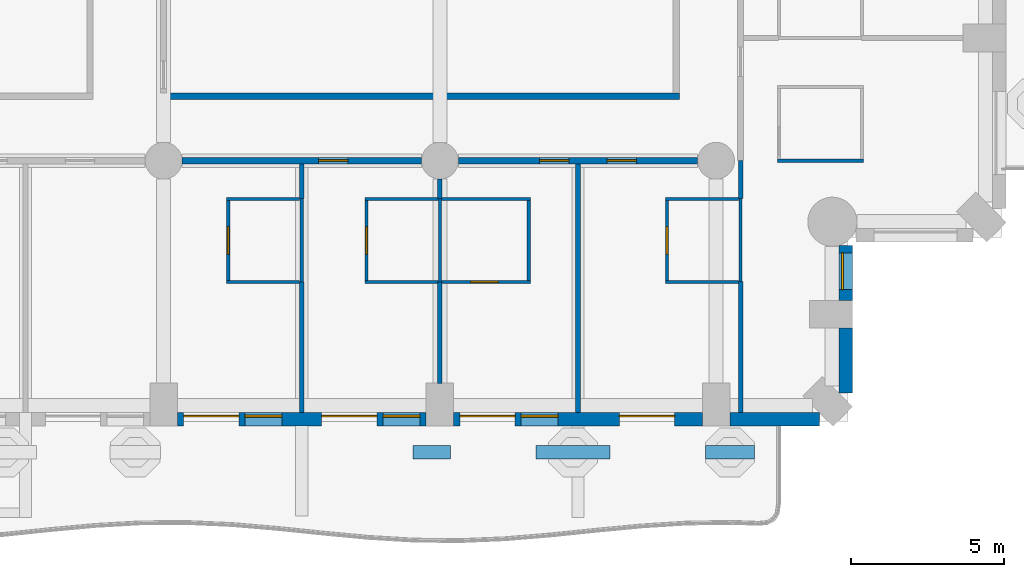
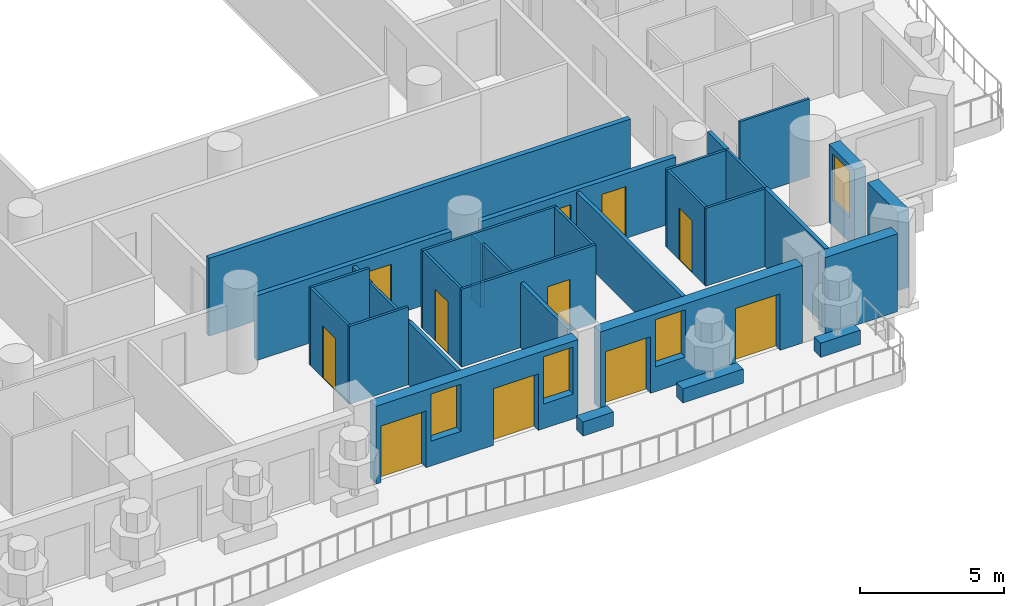
# One storey, part 5 of 20: 32 walls, 11 doors, 4 windows, 15 openings.
"""IFC4 building model written with IfcOpenShell, lengths in metres."""

from ifc_helpers import new_model, si_unit, direction, frame, frame_2d, origin, place, context, subcontext, project, spatial, rectangle, extrude, material, layer, layer_set, type_object, element, fill, save


model = new_model("IFC4")

# Units and contexts
model_context = context("Model", 3, precision=1e-05, world=origin(), true_north=direction((0.0, 1.0)))
body_context = subcontext(model_context, "Body", "Model", "MODEL_VIEW")
ifc_project = project(units=[si_unit("LENGTHUNIT", "METRE"), si_unit("AREAUNIT", "SQUARE_METRE"), si_unit("VOLUMEUNIT", "CUBIC_METRE"), si_unit("PLANEANGLEUNIT", "RADIAN"), si_unit("MASSUNIT", "GRAM", prefix="KILO")], contexts=[model_context])

# Site, building, storey
site_placement = place(None, origin())
site = spatial("IfcSite", under=ifc_project, at=site_placement, CompositionType="ELEMENT")
building_placement = place(site_placement, origin())
building = spatial("IfcBuilding", under=site, at=building_placement, Name="Cypress Arch Tower", CompositionType="ELEMENT")
storey_placement = place(building_placement, frame((0.0, 0.0, 62.699951171875)))
storey = spatial("IfcBuildingStorey", under=building, at=storey_placement, Name="L09", CompositionType="ELEMENT", Elevation=62.699951171875)

# Walls
ifc_material_1 = material(Name="Concrete C40/50, waterproofed", Category="concrete")
ifc_layer_1 = layer(ifc_material_1, 0.449951171875)
ifc_layer_set_1 = layer_set([ifc_layer_1], Name="Balcony planter wall PW450")
wall_type_1 = type_object("IfcWallType", Name="Balcony planter wall PW450", PredefinedType="SOLIDWALL", material=ifc_layer_set_1)
wall_1_placement = place(storey_placement, frame((5.419921875, -27.0, 0.0), z_axis=(0.0, 0.0, 1.0), x_axis=(1.0, 0.0, 0.0)))
element("IfcWall", 1, at=wall_1_placement, inside=storey, type_object=wall_type_1, Name="Balcony planter wall L09-A03.5", PredefinedType="SOLIDWALL", context=body_context, shape_type="SweptSolid", body=[
    extrude(rectangle(XDim=1.22998046875, YDim=0.449951171875, at=frame_2d((0.614990234375, 0.0))), origin(), (0.0, 0.0, 1.0), 0.60009765625),
])
wall_2_placement = place(storey_placement, frame((9.429931640625, -27.0, 0.0), z_axis=(0.0, 0.0, 1.0), x_axis=(1.0, 0.0, 0.0)))
element("IfcWall", 2, at=wall_2_placement, inside=storey, type_object=wall_type_1, Name="Balcony planter wall L09-A03.6", PredefinedType="SOLIDWALL", context=body_context, shape_type="SweptSolid", body=[
    extrude(rectangle(XDim=2.420166015625, YDim=0.449951171875, at=frame_2d((1.2099609375, 0.0))), origin(), (0.0, 0.0, 1.0), 0.60009765625),
])
wall_3_placement = place(storey_placement, frame((14.949951171875, -27.0, 0.0), z_axis=(0.0, 0.0, 1.0), x_axis=(1.0, 0.0, 0.0)))
element("IfcWall", 3, at=wall_3_placement, inside=storey, type_object=wall_type_1, Name="Balcony planter wall L09-A03.7", PredefinedType="SOLIDWALL", context=body_context, shape_type="SweptSolid", body=[
    extrude(rectangle(XDim=1.60009765625, YDim=0.449951171875, at=frame_2d((0.800048828125, 0.0))), origin(), (0.0, 0.0, 1.0), 0.60009765625),
])

# Wall, openings, doors, windows
ifc_material_2 = material(Name="Brick (red buff blend)", Category="masonry")
ifc_layer_2 = layer(ifc_material_2, 0.449951171875)
ifc_layer_set_2 = layer_set([ifc_layer_2], Name="Brick pier and spandrel wall BW450")
wall_type_2 = type_object("IfcWallType", Name="Brick pier and spandrel wall BW450", PredefinedType="SOLIDWALL", material=ifc_layer_set_2)
wall_4_placement = place(storey_placement, frame((-2.25, -25.925048828125, 0.0), z_axis=(0.0, 0.0, 1.0), x_axis=(1.0, 0.0, 0.0)))
wall_4 = element("IfcWall", 4, at=wall_4_placement, inside=storey, type_object=wall_type_2, Name="Brick wall L09 A03.3", PredefinedType="SOLIDWALL", context=body_context, shape_type="SweptSolid", body=[
    extrude(rectangle(XDim=8.10009765625, YDim=0.449951171875, at=frame_2d((4.050048828125, 0.0))), origin(), (0.0, 0.0, 1.0), 3.300048828125),
])
opening_1_placement = place(wall_4_placement, frame((0.199951171875, 0.0, 0.0)))
opening_1 = element("IfcOpeningElement", 5, at=opening_1_placement, cuts=wall_4, Name="Opening D-L09-A03.3.1", PredefinedType="OPENING", context=body_context, shape_type="SweptSolid", body=[
    extrude(rectangle(XDim=1.800048828125, YDim=2.39990234375, at=frame_2d((0.89990234375, 1.199951171875))), frame((0.0, 0.23486328125, 0.0), z_axis=(0.0, -1.0, 0.0), x_axis=(1.0, 0.0, 0.0)), (0.0, 0.0, 1.0), 0.469970703125),
])
opening_2_placement = place(wall_4_placement, frame((2.199951171875, 0.0, 1.050048828125)))
opening_2 = element("IfcOpeningElement", 6, at=opening_2_placement, cuts=wall_4, Name="Opening W120HD", PredefinedType="OPENING", context=body_context, shape_type="SweptSolid", body=[
    extrude(rectangle(XDim=1.199951171875, YDim=2.0, at=frame_2d((0.60009765625, 1.0))), frame((0.0, 0.23486328125, 0.0), z_axis=(0.0, -1.0, 0.0), x_axis=(1.0, 0.0, 0.0)), (0.0, 0.0, 1.0), 0.469970703125),
])
opening_3_placement = place(wall_4_placement, frame((4.699951171875, 0.0, 0.0)))
opening_3 = element("IfcOpeningElement", 7, at=opening_3_placement, cuts=wall_4, Name="Opening D-L09-A03.3.2", PredefinedType="OPENING", context=body_context, shape_type="SweptSolid", body=[
    extrude(rectangle(XDim=1.800048828125, YDim=2.39990234375, at=frame_2d((0.89990234375, 1.199951171875))), frame((0.0, 0.23486328125, 0.0), z_axis=(0.0, -1.0, 0.0), x_axis=(1.0, 0.0, 0.0)), (0.0, 0.0, 1.0), 0.469970703125),
])
opening_4_placement = place(wall_4_placement, frame((6.699951171875, 0.0, 1.050048828125)))
opening_4 = element("IfcOpeningElement", 8, at=opening_4_placement, cuts=wall_4, Name="Opening W120HD", PredefinedType="OPENING", context=body_context, shape_type="SweptSolid", body=[
    extrude(rectangle(XDim=1.199951171875, YDim=2.0, at=frame_2d((0.60009765625, 1.0))), frame((0.0, 0.23486328125, 0.0), z_axis=(0.0, -1.0, 0.0), x_axis=(1.0, 0.0, 0.0)), (0.0, 0.0, 1.0), 0.469970703125),
])
ifc_material_3 = material(Name="Anodised aluminium, bronze finish, laminated low-emissivity double glazing, large-missile impact rated", Category="aluminium")
door_type_1 = type_object("IfcDoorType", Name="Balcony sliding door 1800x2400", OperationType="SLIDING_TO_LEFT", PredefinedType="DOOR", material=ifc_material_3)
door_1_placement = place(opening_1_placement, origin())
door_1 = element("IfcDoor", 9, at=door_1_placement, inside=storey, type_object=door_type_1, Name="Balcony door L09 A03.3.1", OperationType="SLIDING_TO_LEFT", OverallHeight=2.39990234375, OverallWidth=1.800048828125, PredefinedType="DOOR", context=body_context, shape_type="SweptSolid", body=[
    extrude(rectangle(XDim=1.800048828125, YDim=2.39990234375, at=frame_2d((0.89990234375, 1.199951171875))), frame((0.0, 0.1298828125, 0.0), z_axis=(0.0, -1.0, 0.0), x_axis=(1.0, 0.0, 0.0)), (0.0, 0.0, 1.0), 0.050048828125),
])
fill(opening_1, door_1)
door_2_placement = place(opening_3_placement, origin())
door_2 = element("IfcDoor", 10, at=door_2_placement, inside=storey, type_object=door_type_1, Name="Balcony door L09 A03.3.2", OperationType="SLIDING_TO_LEFT", OverallHeight=2.39990234375, OverallWidth=1.800048828125, PredefinedType="DOOR", context=body_context, shape_type="SweptSolid", body=[
    extrude(rectangle(XDim=1.800048828125, YDim=2.39990234375, at=frame_2d((0.89990234375, 1.199951171875))), frame((0.0, 0.1298828125, 0.0), z_axis=(0.0, -1.0, 0.0), x_axis=(1.0, 0.0, 0.0)), (0.0, 0.0, 1.0), 0.050048828125),
])
fill(opening_3, door_2)
ifc_material_4 = material(Name="Anodised aluminium, bronze finish, laminated low-emissivity double glazing, large-missile impact rated", Category="aluminium")
window_type_1 = type_object("IfcWindowType", Name="Window Hotel 1200x2000 debris-rated", PartitioningType="SINGLE_PANEL", PredefinedType="WINDOW", material=ifc_material_4)
window_1_placement = place(opening_2_placement, origin())
window_1 = element("IfcWindow", 11, at=window_1_placement, inside=storey, type_object=window_type_1, Name="Window L09 A03.3.1", OverallHeight=2.0, OverallWidth=1.199951171875, PartitioningType="SINGLE_PANEL", PredefinedType="WINDOW", context=body_context, shape_type="SweptSolid", body=[
    extrude(rectangle(XDim=1.199951171875, YDim=2.0, at=frame_2d((0.60009765625, 1.0))), frame((0.0, 0.135009765625, 0.0), z_axis=(0.0, -1.0, 0.0), x_axis=(1.0, 0.0, 0.0)), (0.0, 0.0, 1.0), 0.06005859375),
])
fill(opening_2, window_1)
window_2_placement = place(opening_4_placement, origin())
window_2 = element("IfcWindow", 12, at=window_2_placement, inside=storey, type_object=window_type_1, Name="Window L09 A03.3.2", OverallHeight=2.0, OverallWidth=1.199951171875, PartitioningType="SINGLE_PANEL", PredefinedType="WINDOW", context=body_context, shape_type="SweptSolid", body=[
    extrude(rectangle(XDim=1.199951171875, YDim=2.0, at=frame_2d((0.60009765625, 1.0))), frame((0.0, 0.135009765625, 0.0), z_axis=(0.0, -1.0, 0.0), x_axis=(1.0, 0.0, 0.0)), (0.0, 0.0, 1.0), 0.06005859375),
])
fill(opening_4, window_2)

# Wall, openings, doors, window
wall_5_placement = place(storey_placement, frame((6.75, -25.925048828125, 0.0), z_axis=(0.0, 0.0, 1.0), x_axis=(1.0, 0.0, 0.0)))
wall_5 = element("IfcWall", 13, at=wall_5_placement, inside=storey, type_object=wall_type_2, Name="Brick wall L09 A03.4", PredefinedType="SOLIDWALL", context=body_context, shape_type="SweptSolid", body=[
    extrude(rectangle(XDim=8.10009765625, YDim=0.449951171875, at=frame_2d((4.050048828125, 0.0))), origin(), (0.0, 0.0, 1.0), 3.300048828125),
])
opening_5_placement = place(wall_5_placement, frame((0.199951171875, 0.0, 0.0)))
opening_5 = element("IfcOpeningElement", 14, at=opening_5_placement, cuts=wall_5, Name="Opening D-L09-A03.4.1", PredefinedType="OPENING", context=body_context, shape_type="SweptSolid", body=[
    extrude(rectangle(XDim=1.800048828125, YDim=2.39990234375, at=frame_2d((0.89990234375, 1.199951171875))), frame((0.0, 0.23486328125, 0.0), z_axis=(0.0, -1.0, 0.0), x_axis=(1.0, 0.0, 0.0)), (0.0, 0.0, 1.0), 0.469970703125),
])
opening_6_placement = place(wall_5_placement, frame((2.199951171875, 0.0, 1.050048828125)))
opening_6 = element("IfcOpeningElement", 15, at=opening_6_placement, cuts=wall_5, Name="Opening W120HD", PredefinedType="OPENING", context=body_context, shape_type="SweptSolid", body=[
    extrude(rectangle(XDim=1.199951171875, YDim=2.0, at=frame_2d((0.60009765625, 1.0))), frame((0.0, 0.23486328125, 0.0), z_axis=(0.0, -1.0, 0.0), x_axis=(1.0, 0.0, 0.0)), (0.0, 0.0, 1.0), 0.469970703125),
])
opening_7_placement = place(wall_5_placement, frame((5.39990234375, 0.0, 0.0)))
opening_7 = element("IfcOpeningElement", 16, at=opening_7_placement, cuts=wall_5, Name="Opening D-L09-A03.4.2", PredefinedType="OPENING", context=body_context, shape_type="SweptSolid", body=[
    extrude(rectangle(XDim=1.800048828125, YDim=2.39990234375, at=frame_2d((0.89990234375, 1.199951171875))), frame((0.0, 0.23486328125, 0.0), z_axis=(0.0, -1.0, 0.0), x_axis=(1.0, 0.0, 0.0)), (0.0, 0.0, 1.0), 0.469970703125),
])
door_3_placement = place(opening_5_placement, origin())
door_3 = element("IfcDoor", 17, at=door_3_placement, inside=storey, type_object=door_type_1, Name="Balcony door L09 A03.4.1", OperationType="SLIDING_TO_LEFT", OverallHeight=2.39990234375, OverallWidth=1.800048828125, PredefinedType="DOOR", context=body_context, shape_type="SweptSolid", body=[
    extrude(rectangle(XDim=1.800048828125, YDim=2.39990234375, at=frame_2d((0.89990234375, 1.199951171875))), frame((0.0, 0.1298828125, 0.0), z_axis=(0.0, -1.0, 0.0), x_axis=(1.0, 0.0, 0.0)), (0.0, 0.0, 1.0), 0.050048828125),
])
fill(opening_5, door_3)
door_4_placement = place(opening_7_placement, origin())
door_4 = element("IfcDoor", 18, at=door_4_placement, inside=storey, type_object=door_type_1, Name="Balcony door L09 A03.4.2", OperationType="SLIDING_TO_LEFT", OverallHeight=2.39990234375, OverallWidth=1.800048828125, PredefinedType="DOOR", context=body_context, shape_type="SweptSolid", body=[
    extrude(rectangle(XDim=1.800048828125, YDim=2.39990234375, at=frame_2d((0.89990234375, 1.199951171875))), frame((0.0, 0.1298828125, 0.0), z_axis=(0.0, -1.0, 0.0), x_axis=(1.0, 0.0, 0.0)), (0.0, 0.0, 1.0), 0.050048828125),
])
fill(opening_7, door_4)
window_3_placement = place(opening_6_placement, origin())
window_3 = element("IfcWindow", 19, at=window_3_placement, inside=storey, type_object=window_type_1, Name="Window L09 A03.4.1", OverallHeight=2.0, OverallWidth=1.199951171875, PartitioningType="SINGLE_PANEL", PredefinedType="WINDOW", context=body_context, shape_type="SweptSolid", body=[
    extrude(rectangle(XDim=1.199951171875, YDim=2.0, at=frame_2d((0.60009765625, 1.0))), frame((0.0, 0.135009765625, 0.0), z_axis=(0.0, -1.0, 0.0), x_axis=(1.0, 0.0, 0.0)), (0.0, 0.0, 1.0), 0.06005859375),
])
fill(opening_6, window_3)

# Walls
wall_6_placement = place(storey_placement, frame((15.75, -25.925048828125, 0.0), z_axis=(0.0, 0.0, 1.0), x_axis=(1.0, 0.0, 0.0)))
element("IfcWall", 20, at=wall_6_placement, inside=storey, type_object=wall_type_2, Name="Brick wall L09 A03.5", PredefinedType="SOLIDWALL", context=body_context, shape_type="SweptSolid", body=[
    extrude(rectangle(XDim=2.91357421875, YDim=0.449951171875, at=frame_2d((1.456787109375, 0.0))), origin(), (0.0, 0.0, 1.0), 3.300048828125),
])
wall_7_placement = place(storey_placement, frame((19.52490234375, -25.063720703125, 0.0), z_axis=(0.0, 0.0, 1.0), x_axis=(0.0, 1.0, 0.0)))
element("IfcWall", 21, at=wall_7_placement, inside=storey, type_object=wall_type_2, Name="Brick wall L09 A04.0", PredefinedType="SOLIDWALL", context=body_context, shape_type="SweptSolid", body=[
    extrude(rectangle(XDim=2.11376953125, YDim=0.449951171875, at=frame_2d((1.056884765625, 0.0))), origin(), (0.0, 0.0, 1.0), 3.300048828125),
])

# Wall, opening, window
wall_8_placement = place(storey_placement, frame((19.52490234375, -22.050048828125, 0.0), z_axis=(0.0, 0.0, 1.0), x_axis=(0.0, 1.0, 0.0)))
wall_8 = element("IfcWall", 22, at=wall_8_placement, inside=storey, type_object=wall_type_2, Name="Brick wall L09 A04.1", PredefinedType="SOLIDWALL", context=body_context, shape_type="SweptSolid", body=[
    extrude(rectangle(XDim=1.79150390625, YDim=0.449951171875, at=frame_2d((0.895751953125, 0.0))), origin(), (0.0, 0.0, 1.0), 3.300048828125),
])
opening_8_placement = place(wall_8_placement, frame((0.35009765625, 0.0, 1.050048828125)))
opening_8 = element("IfcOpeningElement", 23, at=opening_8_placement, cuts=wall_8, Name="Opening W120H", PredefinedType="OPENING", context=body_context, shape_type="SweptSolid", body=[
    extrude(rectangle(XDim=1.199951171875, YDim=2.0, at=frame_2d((0.60009765625, 1.0))), frame((0.0, 0.23486328125, 0.0), z_axis=(0.0, -1.0, 0.0), x_axis=(1.0, 0.0, 0.0)), (0.0, 0.0, 1.0), 0.469970703125),
])
ifc_material_5 = material(Name="Anodised aluminium, bronze finish, clear low-emissivity double glazing", Category="aluminium")
window_type_2 = type_object("IfcWindowType", Name="Window Hotel 1200x2000", PartitioningType="SINGLE_PANEL", PredefinedType="WINDOW", material=ifc_material_5)
window_4_placement = place(opening_8_placement, origin())
window_4 = element("IfcWindow", 24, at=window_4_placement, inside=storey, type_object=window_type_2, Name="Window L09 A04.1.1", OverallHeight=2.0, OverallWidth=1.199951171875, PartitioningType="SINGLE_PANEL", PredefinedType="WINDOW", context=body_context, shape_type="SweptSolid", body=[
    extrude(rectangle(XDim=1.199951171875, YDim=2.0, at=frame_2d((0.60009765625, 1.0))), frame((0.0, 0.135009765625, 0.0), z_axis=(0.0, -1.0, 0.0), x_axis=(1.0, 0.0, 0.0)), (0.0, 0.0, 1.0), 0.06005859375),
])
fill(opening_8, window_4)

# Wall, opening, door
ifc_material_6 = material(Name="Concrete blockwork, plastered, rated", Category="masonry")
ifc_layer_3 = layer(ifc_material_6, 0.199951171875)
ifc_layer_set_3 = layer_set([ifc_layer_3], Name="Corridor wall FW200")
wall_type_3 = type_object("IfcWallType", Name="Corridor wall FW200", PredefinedType="PARTITIONING", material=ifc_layer_set_3)
wall_9_placement = place(storey_placement, frame((-2.10009765625, -17.5, 0.0), z_axis=(0.0, 0.0, 1.0), x_axis=(1.0, 0.0, 0.0)))
wall_9 = element("IfcWall", 25, at=wall_9_placement, inside=storey, type_object=wall_type_3, Name="Corridor wall", PredefinedType="PARTITIONING", context=body_context, shape_type="SweptSolid", body=[
    extrude(rectangle(XDim=7.800048828125, YDim=0.199951171875, at=frame_2d((3.89990234375, 0.0))), origin(), (0.0, 0.0, 1.0), 2.75),
])
opening_9_placement = place(wall_9_placement, frame((4.449951171875, 0.0, 0.0)))
opening_9 = element("IfcOpeningElement", 26, at=opening_9_placement, cuts=wall_9, Name="Opening D02", PredefinedType="OPENING", context=body_context, shape_type="SweptSolid", body=[
    extrude(rectangle(XDim=0.949951171875, YDim=2.199951171875, at=frame_2d((0.47509765625, 1.10009765625))), frame((0.0, 0.10986328125, 0.0), z_axis=(0.0, -1.0, 0.0), x_axis=(1.0, 0.0, 0.0)), (0.0, 0.0, 1.0), 0.219970703125),
])
ifc_material_7 = material(Name="Timber flush door, fire resisting", Category="wood")
door_type_2 = type_object("IfcDoorType", Name="Room door D02 950x2200", OperationType="SINGLE_SWING_LEFT", PredefinedType="DOOR", material=ifc_material_7)
door_5_placement = place(opening_9_placement, origin())
door_5 = element("IfcDoor", 27, at=door_5_placement, inside=storey, type_object=door_type_2, Name="Room door", OperationType="SINGLE_SWING_RIGHT", OverallHeight=2.199951171875, OverallWidth=0.949951171875, PredefinedType="DOOR", context=body_context, shape_type="SweptSolid", body=[
    extrude(rectangle(XDim=0.949951171875, YDim=2.199951171875, at=frame_2d((0.47509765625, 1.10009765625))), frame((0.0, 0.02490234375, 0.0), z_axis=(0.0, -1.0, 0.0), x_axis=(1.0, 0.0, 0.0)), (0.0, 0.0, 1.0), 0.050048828125),
])
fill(opening_9, door_5)

# Wall, openings, doors
wall_10_placement = place(storey_placement, frame((6.89990234375, -17.5, 0.0), z_axis=(0.0, 0.0, 1.0), x_axis=(1.0, 0.0, 0.0)))
wall_10 = element("IfcWall", 28, at=wall_10_placement, inside=storey, type_object=wall_type_3, Name="Corridor wall", PredefinedType="PARTITIONING", context=body_context, shape_type="SweptSolid", body=[
    extrude(rectangle(XDim=7.800048828125, YDim=0.199951171875, at=frame_2d((3.89990234375, 0.0))), origin(), (0.0, 0.0, 1.0), 2.75),
])
opening_10_placement = place(wall_10_placement, frame((2.64990234375, 0.0, 0.0)))
opening_10 = element("IfcOpeningElement", 29, at=opening_10_placement, cuts=wall_10, Name="Opening D02", PredefinedType="OPENING", context=body_context, shape_type="SweptSolid", body=[
    extrude(rectangle(XDim=0.949951171875, YDim=2.199951171875, at=frame_2d((0.47509765625, 1.10009765625))), frame((0.0, 0.10986328125, 0.0), z_axis=(0.0, -1.0, 0.0), x_axis=(1.0, 0.0, 0.0)), (0.0, 0.0, 1.0), 0.219970703125),
])
opening_11_placement = place(wall_10_placement, frame((4.85009765625, 0.0, 0.0)))
opening_11 = element("IfcOpeningElement", 30, at=opening_11_placement, cuts=wall_10, Name="Opening D02", PredefinedType="OPENING", context=body_context, shape_type="SweptSolid", body=[
    extrude(rectangle(XDim=0.949951171875, YDim=2.199951171875, at=frame_2d((0.47509765625, 1.10009765625))), frame((0.0, 0.10986328125, 0.0), z_axis=(0.0, -1.0, 0.0), x_axis=(1.0, 0.0, 0.0)), (0.0, 0.0, 1.0), 0.219970703125),
])
door_6_placement = place(opening_10_placement, origin())
door_6 = element("IfcDoor", 31, at=door_6_placement, inside=storey, type_object=door_type_2, Name="Room door", OperationType="SINGLE_SWING_LEFT", OverallHeight=2.199951171875, OverallWidth=0.949951171875, PredefinedType="DOOR", context=body_context, shape_type="SweptSolid", body=[
    extrude(rectangle(XDim=0.949951171875, YDim=2.199951171875, at=frame_2d((0.47509765625, 1.10009765625))), frame((0.0, 0.02490234375, 0.0), z_axis=(0.0, -1.0, 0.0), x_axis=(1.0, 0.0, 0.0)), (0.0, 0.0, 1.0), 0.050048828125),
])
fill(opening_10, door_6)
door_7_placement = place(opening_11_placement, origin())
door_7 = element("IfcDoor", 32, at=door_7_placement, inside=storey, type_object=door_type_2, Name="Room door", OperationType="SINGLE_SWING_RIGHT", OverallHeight=2.199951171875, OverallWidth=0.949951171875, PredefinedType="DOOR", context=body_context, shape_type="SweptSolid", body=[
    extrude(rectangle(XDim=0.949951171875, YDim=2.199951171875, at=frame_2d((0.47509765625, 1.10009765625))), frame((0.0, 0.02490234375, 0.0), z_axis=(0.0, -1.0, 0.0), x_axis=(1.0, 0.0, 0.0)), (0.0, 0.0, 1.0), 0.050048828125),
])
fill(opening_11, door_7)

# Walls
wall_11_placement = place(storey_placement, frame((-2.800048828125, -15.39990234375, 0.0), z_axis=(0.0, 0.0, 1.0), x_axis=(1.0, 0.0, 0.0)))
element("IfcWall", 33, at=wall_11_placement, inside=storey, type_object=wall_type_3, Name="Corridor wall", PredefinedType="PARTITIONING", context=body_context, shape_type="SweptSolid", body=[
    extrude(rectangle(XDim=16.900146484375, YDim=0.199951171875, at=frame_2d((8.4501953125, 0.0))), origin(), (0.0, 0.0, 1.0), 3.300048828125),
])
ifc_material_8 = material(Name="Blockwork, plastered both sides", Category="masonry")
ifc_layer_4 = layer(ifc_material_8, 0.14990234375)
ifc_layer_set_4 = layer_set([ifc_layer_4], Name="Partition PW150")
wall_type_4 = type_object("IfcWallType", Name="Partition PW150", PredefinedType="PARTITIONING", material=ifc_layer_set_4)
wall_12_placement = place(storey_placement, frame((1.800048828125, -25.699951171875, 0.0), z_axis=(0.0, 0.0, 1.0), x_axis=(0.0, 1.0, 0.0)))
element("IfcWall", 34, at=wall_12_placement, inside=storey, type_object=wall_type_4, Name="Partition", PredefinedType="PARTITIONING", context=body_context, shape_type="SweptSolid", body=[
    extrude(rectangle(XDim=4.25, YDim=0.14990234375, at=frame_2d((2.125, 0.0))), origin(), (0.0, 0.0, 1.0), 2.650146484375),
])
wall_13_placement = place(storey_placement, frame((1.800048828125, -18.72998046875, 0.0), z_axis=(0.0, 0.0, 1.0), x_axis=(0.0, 1.0, 0.0)))
element("IfcWall", 35, at=wall_13_placement, inside=storey, type_object=wall_type_4, Name="Partition", PredefinedType="PARTITIONING", context=body_context, shape_type="SweptSolid", body=[
    extrude(rectangle(XDim=1.1298828125, YDim=0.14990234375, at=frame_2d((0.56494140625, 0.0))), origin(), (0.0, 0.0, 1.0), 2.650146484375),
])
wall_14_placement = place(storey_placement, frame((6.300048828125, -24.75, 0.0), z_axis=(0.0, 0.0, 1.0), x_axis=(0.0, 1.0, 0.0)))
element("IfcWall", 36, at=wall_14_placement, inside=storey, type_object=wall_type_4, Name="Partition", PredefinedType="PARTITIONING", context=body_context, shape_type="SweptSolid", body=[
    extrude(rectangle(XDim=3.300048828125, YDim=0.14990234375, at=frame_2d((1.64990234375, 0.0))), origin(), (0.0, 0.0, 1.0), 2.75),
])
wall_15_placement = place(storey_placement, frame((6.300048828125, -18.72998046875, 0.0), z_axis=(0.0, 0.0, 1.0), x_axis=(0.0, 1.0, 0.0)))
element("IfcWall", 37, at=wall_15_placement, inside=storey, type_object=wall_type_4, Name="Partition", PredefinedType="PARTITIONING", context=body_context, shape_type="SweptSolid", body=[
    extrude(rectangle(XDim=0.6298828125, YDim=0.14990234375, at=frame_2d((0.31494140625, 0.0))), origin(), (0.0, 0.0, 1.0), 2.75),
])
wall_16_placement = place(storey_placement, frame((10.800048828125, -25.699951171875, 0.0), z_axis=(0.0, 0.0, 1.0), x_axis=(0.0, 1.0, 0.0)))
element("IfcWall", 38, at=wall_16_placement, inside=storey, type_object=wall_type_4, Name="Partition", PredefinedType="PARTITIONING", context=body_context, shape_type="SweptSolid", body=[
    extrude(rectangle(XDim=8.099853515625, YDim=0.14990234375, at=frame_2d((4.0498046875, 0.0))), origin(), (0.0, 0.0, 1.0), 2.650146484375),
])
wall_17_placement = place(storey_placement, frame((16.10009765625, -25.699951171875, 0.0), z_axis=(0.0, 0.0, 1.0), x_axis=(0.0, 1.0, 0.0)))
element("IfcWall", 39, at=wall_17_placement, inside=storey, type_object=wall_type_4, Name="Partition", PredefinedType="PARTITIONING", context=body_context, shape_type="SweptSolid", body=[
    extrude(rectangle(XDim=4.27001953125, YDim=0.14990234375, at=frame_2d((2.135009765625, 0.0))), origin(), (0.0, 0.0, 1.0), 3.300048828125),
])
wall_18_placement = place(storey_placement, frame((16.10009765625, -18.72998046875, 0.0), z_axis=(0.0, 0.0, 1.0), x_axis=(0.0, 1.0, 0.0)))
element("IfcWall", 40, at=wall_18_placement, inside=storey, type_object=wall_type_4, Name="Partition", PredefinedType="PARTITIONING", context=body_context, shape_type="SweptSolid", body=[
    extrude(rectangle(XDim=1.22998046875, YDim=0.14990234375, at=frame_2d((0.614990234375, 0.0))), origin(), (0.0, 0.0, 1.0), 3.300048828125),
])

# Wall, opening, door
ifc_material_9 = material(Name="Moisture resistant board on steel studs, tiled", Category="steel")
ifc_layer_5 = layer(ifc_material_9, 0.10009765625)
ifc_layer_set_5 = layer_set([ifc_layer_5], Name="Wet wall PW100")
wall_type_5 = type_object("IfcWallType", Name="Wet wall PW100", PredefinedType="PARTITIONING", material=ifc_layer_set_5)
wall_19_placement = place(storey_placement, frame((-0.595947265625, -21.39990234375, 0.0), z_axis=(0.0, 0.0, 1.0), x_axis=(0.0, 1.0, 0.0)))
wall_19 = element("IfcWall", 41, at=wall_19_placement, inside=storey, type_object=wall_type_5, Name="Wet wall", PredefinedType="PARTITIONING", context=body_context, shape_type="SweptSolid", body=[
    extrude(rectangle(XDim=2.599853515625, YDim=0.10009765625, at=frame_2d((1.2998046875, 0.0))), origin(), (0.0, 0.0, 1.0), 3.300048828125),
])
opening_12_placement = place(wall_19_placement, frame((0.85009765625, 0.0, 0.0)))
opening_12 = element("IfcOpeningElement", 42, at=opening_12_placement, cuts=wall_19, Name="Opening D03", PredefinedType="OPENING", context=body_context, shape_type="SweptSolid", body=[
    extrude(rectangle(XDim=0.89990234375, YDim=2.199951171875, at=frame_2d((0.449951171875, 1.10009765625))), frame((0.0, 0.06005859375, 0.0), z_axis=(0.0, -1.0, 0.0), x_axis=(1.0, 0.0, 0.0)), (0.0, 0.0, 1.0), 0.1201171875),
])
ifc_material_10 = material(Name="Timber flush door, moisture resistant", Category="wood")
door_type_3 = type_object("IfcDoorType", Name="Bathroom door D03 900x2200", OperationType="SINGLE_SWING_LEFT", PredefinedType="DOOR", material=ifc_material_10)
door_8_placement = place(opening_12_placement, origin())
door_8 = element("IfcDoor", 43, at=door_8_placement, inside=storey, type_object=door_type_3, Name="Bathroom door", OperationType="SINGLE_SWING_LEFT", OverallHeight=2.199951171875, OverallWidth=0.89990234375, PredefinedType="DOOR", context=body_context, shape_type="SweptSolid", body=[
    extrude(rectangle(XDim=0.89990234375, YDim=2.199951171875, at=frame_2d((0.449951171875, 1.10009765625))), frame((0.0, 0.02490234375, 0.0), z_axis=(0.0, -1.0, 0.0), x_axis=(1.0, 0.0, 0.0)), (0.0, 0.0, 1.0), 0.050048828125),
])
fill(opening_12, door_8)

# Walls
for number, where, z_axis, x_axis, name in (
    (44, (-0.64599609375, -21.449951171875, 0.0), (0.0, 0.0, 1.0), (1.0, 0.0, 0.0), "Wet wall"),
    (45, (-0.64599609375, -18.75, 0.0), (0.0, 0.0, 1.0), (1.0, 0.0, 0.0), "Wet wall"),
):
    element("IfcWall", number, at=place(storey_placement, frame(where, z_axis=z_axis, x_axis=x_axis)), inside=storey, type_object=wall_type_5, Name=name, PredefinedType="PARTITIONING", context=body_context, shape_type="SweptSolid", body=[
        extrude(rectangle(XDim=2.37109375, YDim=0.10009765625, at=frame_2d((1.185546875, 0.0))), origin(), (0.0, 0.0, 1.0), 3.300048828125),
    ])
wall_20_placement = place(storey_placement, frame((1.800048828125, -21.449951171875, 0.0), z_axis=(0.0, 0.0, 1.0), x_axis=(0.0, 1.0, 0.0)))
element("IfcWall", 46, at=wall_20_placement, inside=storey, type_object=wall_type_5, Name="Wet wall", PredefinedType="PARTITIONING", context=body_context, shape_type="SweptSolid", body=[
    extrude(rectangle(XDim=2.719970703125, YDim=0.10009765625, at=frame_2d((1.35986328125, 0.0))), origin(), (0.0, 0.0, 1.0), 2.650146484375),
])

# Wall, opening, door
wall_21_placement = place(storey_placement, frame((3.904052734375, -21.39990234375, 0.0), z_axis=(0.0, 0.0, 1.0), x_axis=(0.0, 1.0, 0.0)))
wall_21 = element("IfcWall", 47, at=wall_21_placement, inside=storey, type_object=wall_type_5, Name="Wet wall", PredefinedType="PARTITIONING", context=body_context, shape_type="SweptSolid", body=[
    extrude(rectangle(XDim=2.599853515625, YDim=0.10009765625, at=frame_2d((1.2998046875, 0.0))), origin(), (0.0, 0.0, 1.0), 3.300048828125),
])
opening_13_placement = place(wall_21_placement, frame((0.85009765625, 0.0, 0.0)))
opening_13 = element("IfcOpeningElement", 48, at=opening_13_placement, cuts=wall_21, Name="Opening D03", PredefinedType="OPENING", context=body_context, shape_type="SweptSolid", body=[
    extrude(rectangle(XDim=0.89990234375, YDim=2.199951171875, at=frame_2d((0.449951171875, 1.10009765625))), frame((0.0, 0.06005859375, 0.0), z_axis=(0.0, -1.0, 0.0), x_axis=(1.0, 0.0, 0.0)), (0.0, 0.0, 1.0), 0.1201171875),
])
door_9_placement = place(opening_13_placement, origin())
door_9 = element("IfcDoor", 49, at=door_9_placement, inside=storey, type_object=door_type_3, Name="Bathroom door", OperationType="SINGLE_SWING_LEFT", OverallHeight=2.199951171875, OverallWidth=0.89990234375, PredefinedType="DOOR", context=body_context, shape_type="SweptSolid", body=[
    extrude(rectangle(XDim=0.89990234375, YDim=2.199951171875, at=frame_2d((0.449951171875, 1.10009765625))), frame((0.0, 0.02490234375, 0.0), z_axis=(0.0, -1.0, 0.0), x_axis=(1.0, 0.0, 0.0)), (0.0, 0.0, 1.0), 0.050048828125),
])
fill(opening_13, door_9)

wall_22_placement = place(storey_placement, frame((3.85400390625, -21.449951171875, 0.0), z_axis=(0.0, 0.0, 1.0), x_axis=(1.0, 0.0, 0.0)))
wall_22 = element("IfcWall", 50, at=wall_22_placement, inside=storey, type_object=wall_type_5, Name="Wet wall", PredefinedType="PARTITIONING", context=body_context, shape_type="SweptSolid", body=[
    extrude(rectangle(XDim=5.39208984375, YDim=0.10009765625, at=frame_2d((2.696044921875, 0.0))), origin(), (0.0, 0.0, 1.0), 3.300048828125),
])
opening_14_placement = place(wall_22_placement, frame((3.449951171875, 0.0, 0.0)))
opening_14 = element("IfcOpeningElement", 51, at=opening_14_placement, cuts=wall_22, Name="Opening D03", PredefinedType="OPENING", context=body_context, shape_type="SweptSolid", body=[
    extrude(rectangle(XDim=0.89990234375, YDim=2.199951171875, at=frame_2d((0.449951171875, 1.10009765625))), frame((0.0, 0.06005859375, 0.0), z_axis=(0.0, -1.0, 0.0), x_axis=(1.0, 0.0, 0.0)), (0.0, 0.0, 1.0), 0.1201171875),
])
door_10_placement = place(opening_14_placement, origin())
door_10 = element("IfcDoor", 52, at=door_10_placement, inside=storey, type_object=door_type_3, Name="Bathroom door", OperationType="SINGLE_SWING_RIGHT", OverallHeight=2.199951171875, OverallWidth=0.89990234375, PredefinedType="DOOR", context=body_context, shape_type="SweptSolid", body=[
    extrude(rectangle(XDim=0.89990234375, YDim=2.199951171875, at=frame_2d((0.449951171875, 1.10009765625))), frame((0.0, 0.02490234375, 0.0), z_axis=(0.0, -1.0, 0.0), x_axis=(1.0, 0.0, 0.0)), (0.0, 0.0, 1.0), 0.050048828125),
])
fill(opening_14, door_10)

# Walls
wall_23_placement = place(storey_placement, frame((3.85400390625, -18.75, 0.0), z_axis=(0.0, 0.0, 1.0), x_axis=(1.0, 0.0, 0.0)))
element("IfcWall", 53, at=wall_23_placement, inside=storey, type_object=wall_type_5, Name="Wet wall", PredefinedType="PARTITIONING", context=body_context, shape_type="SweptSolid", body=[
    extrude(rectangle(XDim=5.39208984375, YDim=0.10009765625, at=frame_2d((2.696044921875, 0.0))), origin(), (0.0, 0.0, 1.0), 3.300048828125),
])
wall_24_placement = place(storey_placement, frame((6.300048828125, -21.449951171875, 0.0), z_axis=(0.0, 0.0, 1.0), x_axis=(0.0, 1.0, 0.0)))
element("IfcWall", 54, at=wall_24_placement, inside=storey, type_object=wall_type_5, Name="Wet wall", PredefinedType="PARTITIONING", context=body_context, shape_type="SweptSolid", body=[
    extrude(rectangle(XDim=2.719970703125, YDim=0.10009765625, at=frame_2d((1.35986328125, 0.0))), origin(), (0.0, 0.0, 1.0), 2.75),
])
wall_25_placement = place(storey_placement, frame((9.196044921875, -21.39990234375, 0.0), z_axis=(0.0, 0.0, 1.0), x_axis=(0.0, 1.0, 0.0)))
element("IfcWall", 55, at=wall_25_placement, inside=storey, type_object=wall_type_5, Name="Wet wall", PredefinedType="PARTITIONING", context=body_context, shape_type="SweptSolid", body=[
    extrude(rectangle(XDim=2.599853515625, YDim=0.10009765625, at=frame_2d((1.2998046875, 0.0))), origin(), (0.0, 0.0, 1.0), 3.300048828125),
])

# Wall, opening, door
wall_26_placement = place(storey_placement, frame((13.699951171875, -21.39990234375, 0.0), z_axis=(0.0, 0.0, 1.0), x_axis=(0.0, 1.0, 0.0)))
wall_26 = element("IfcWall", 56, at=wall_26_placement, inside=storey, type_object=wall_type_5, Name="Wet wall", PredefinedType="PARTITIONING", context=body_context, shape_type="SweptSolid", body=[
    extrude(rectangle(XDim=2.599853515625, YDim=0.10009765625, at=frame_2d((1.2998046875, 0.0))), origin(), (0.0, 0.0, 1.0), 3.300048828125),
])
opening_15_placement = place(wall_26_placement, frame((0.85009765625, 0.0, 0.0)))
opening_15 = element("IfcOpeningElement", 57, at=opening_15_placement, cuts=wall_26, Name="Opening D03", PredefinedType="OPENING", context=body_context, shape_type="SweptSolid", body=[
    extrude(rectangle(XDim=0.89990234375, YDim=2.199951171875, at=frame_2d((0.449951171875, 1.10009765625))), frame((0.0, 0.06005859375, 0.0), z_axis=(0.0, -1.0, 0.0), x_axis=(1.0, 0.0, 0.0)), (0.0, 0.0, 1.0), 0.1201171875),
])
door_11_placement = place(opening_15_placement, origin())
door_11 = element("IfcDoor", 58, at=door_11_placement, inside=storey, type_object=door_type_3, Name="Bathroom door", OperationType="SINGLE_SWING_LEFT", OverallHeight=2.199951171875, OverallWidth=0.89990234375, PredefinedType="DOOR", context=body_context, shape_type="SweptSolid", body=[
    extrude(rectangle(XDim=0.89990234375, YDim=2.199951171875, at=frame_2d((0.449951171875, 1.10009765625))), frame((0.0, 0.02490234375, 0.0), z_axis=(0.0, -1.0, 0.0), x_axis=(1.0, 0.0, 0.0)), (0.0, 0.0, 1.0), 0.050048828125),
])
fill(opening_15, door_11)

# Walls
for number, where, z_axis, x_axis, name in (
    (59, (13.64990234375, -21.449951171875, 0.0), (0.0, 0.0, 1.0), (1.0, 0.0, 0.0), "Wet wall"),
    (60, (13.64990234375, -18.75, 0.0), (0.0, 0.0, 1.0), (1.0, 0.0, 0.0), "Wet wall"),
):
    element("IfcWall", number, at=place(storey_placement, frame(where, z_axis=z_axis, x_axis=x_axis)), inside=storey, type_object=wall_type_5, Name=name, PredefinedType="PARTITIONING", context=body_context, shape_type="SweptSolid", body=[
        extrude(rectangle(XDim=2.375, YDim=0.10009765625, at=frame_2d((1.1875, 0.0))), origin(), (0.0, 0.0, 1.0), 3.300048828125),
    ])
wall_27_placement = place(storey_placement, frame((16.10009765625, -21.429931640625, 0.0), z_axis=(0.0, 0.0, 1.0), x_axis=(0.0, 1.0, 0.0)))
element("IfcWall", 61, at=wall_27_placement, inside=storey, type_object=wall_type_5, Name="Wet wall", PredefinedType="PARTITIONING", context=body_context, shape_type="SweptSolid", body=[
    extrude(rectangle(XDim=2.699951171875, YDim=0.10009765625, at=frame_2d((1.35009765625, 0.0))), origin(), (0.0, 0.0, 1.0), 3.300048828125),
])
wall_28_placement = place(storey_placement, frame((17.300048828125, -17.5, 0.0), z_axis=(0.0, 0.0, 1.0), x_axis=(1.0, 0.0, 0.0)))
element("IfcWall", 62, at=wall_28_placement, inside=storey, type_object=wall_type_5, Name="Wet wall", PredefinedType="PARTITIONING", context=body_context, shape_type="SweptSolid", body=[
    extrude(rectangle(XDim=2.800048828125, YDim=0.10009765625, at=frame_2d((1.39990234375, 0.0))), origin(), (0.0, 0.0, 1.0), 3.300048828125),
])

save(model, "model.ifc")
